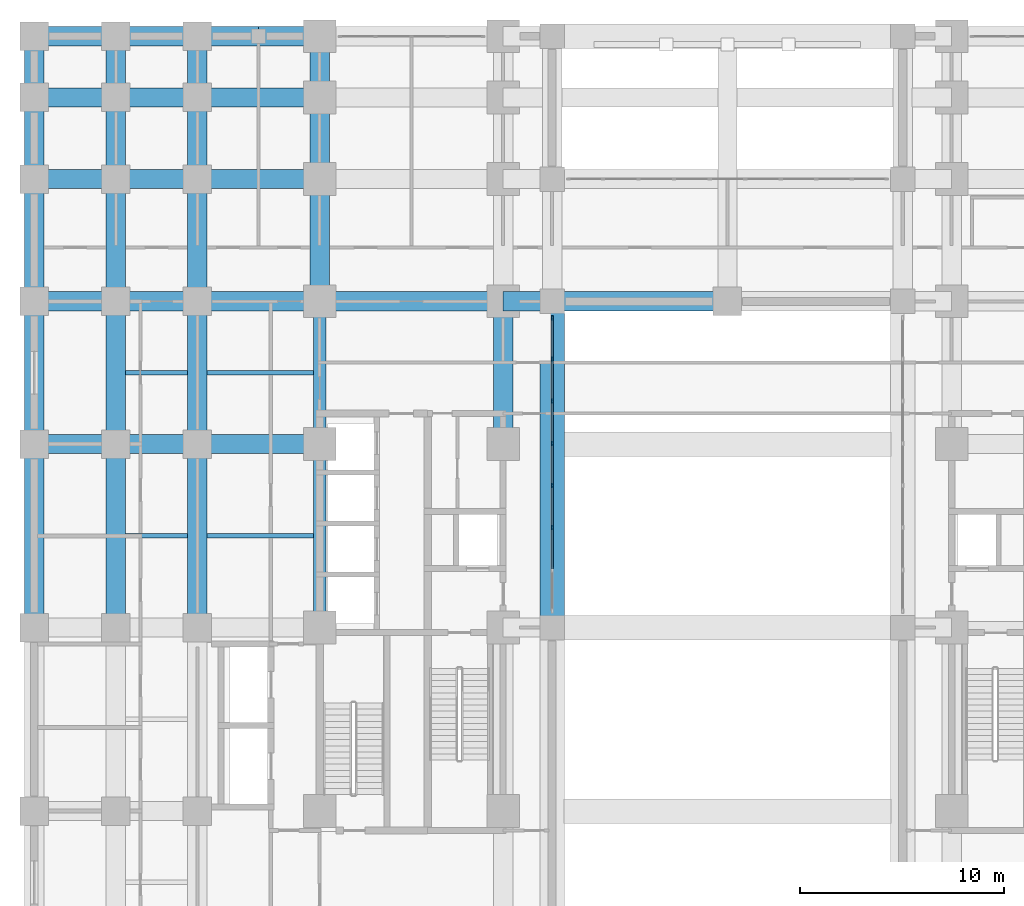
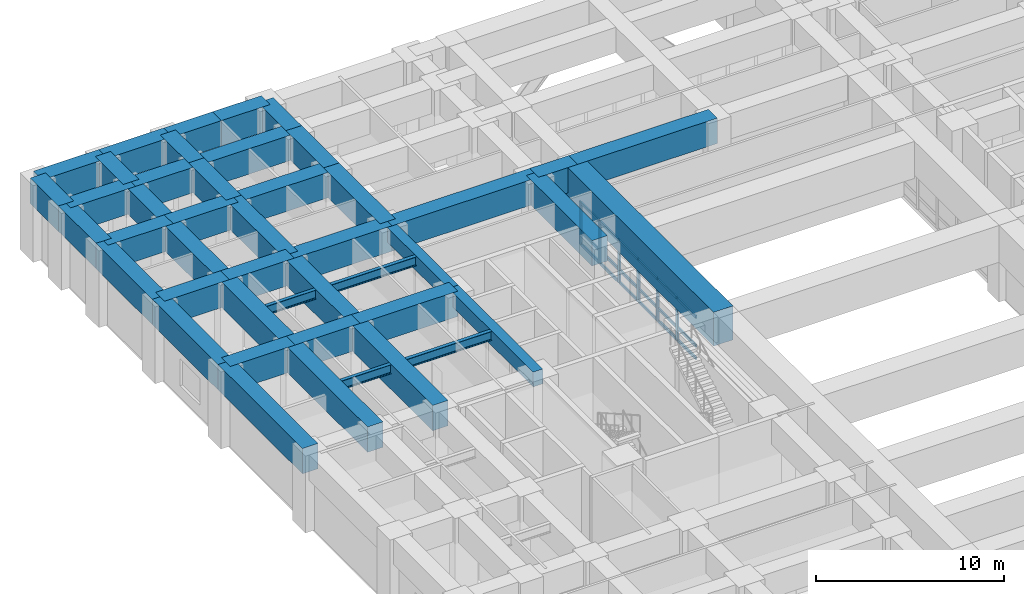
# One storey, part 5 of 24: 45 beams, 24 members, 1 element without a shape of its own.
"""IFC4 building model written with IfcOpenShell, lengths in metres."""

from ifc_helpers import new_model, si_unit, direction, frame, origin, origin_2d, place, context, subcontext, project, spatial, rectangle, i_section, extrude, material, material_profile, profile_set, type_object, element, aggregate, save


model = new_model("IFC4")

# Units and contexts
model_context = context("Model", 3, precision=1e-05, world=origin(), true_north=direction((0.0, 1.0)))
body_context = subcontext(model_context, "Body", "Model", "MODEL_VIEW")
ifc_project = project(units=[si_unit("LENGTHUNIT", "METRE"), si_unit("AREAUNIT", "SQUARE_METRE"), si_unit("VOLUMEUNIT", "CUBIC_METRE"), si_unit("PLANEANGLEUNIT", "RADIAN"), si_unit("MASSUNIT", "GRAM", prefix="KILO")], contexts=[model_context])

# Site, building, storey
site_placement = place(None, origin())
site = spatial("IfcSite", under=ifc_project, at=site_placement, CompositionType="ELEMENT")
building_placement = place(site_placement, origin())
building = spatial("IfcBuilding", under=site, at=building_placement, Name="Zulmaris Gate Convention Tower", CompositionType="ELEMENT")
storey_placement = place(building_placement, frame((0.0, 0.0, 16.320068359375)))
storey = spatial("IfcBuildingStorey", under=building, at=storey_placement, Name="L03", CompositionType="ELEMENT", Elevation=16.320068359375)

# Beams
ifc_material_1 = material(Name="Concrete C60/75", Category="concrete")
ifc_material_profile_1 = material_profile(ifc_material_1, rectangle(XDim=0.60009765625, YDim=0.949951171875, at=origin_2d()), Name="RC BEAM 600x950")
ifc_profile_set_1 = profile_set([ifc_material_profile_1], Name="Concrete C60/75")
beam_type_1 = type_object("IfcBeamType", Name="BM-RC600x950", PredefinedType="BEAM", material=ifc_profile_set_1)
beam_1_placement = place(storey_placement, frame((-20.0, 0.0, 4.514892578125), z_axis=(0.0, 1.0, 0.0), x_axis=(-1.0, 0.0, 0.0)))
element("IfcBeam", 1, at=beam_1_placement, inside=storey, type_object=beam_type_1, Name="L03 Beam BM-L03-Y--20.0-+0.0", PredefinedType="BEAM", context=body_context, shape_type="SweptSolid", body=[
    extrude(rectangle(XDim=0.60009765625, YDim=0.949951171875, at=origin_2d()), origin(), (0.0, 0.0, 1.0), 9.0),
])
beam_2_placement = place(storey_placement, frame((-20.0, 9.0, 4.514892578125), z_axis=(0.0, 1.0, 0.0), x_axis=(-1.0, 0.0, 0.0)))
element("IfcBeam", 2, at=beam_2_placement, inside=storey, type_object=beam_type_1, Name="L03 Beam BM-L03-Y--20.0-+9.0", PredefinedType="BEAM", context=body_context, shape_type="SweptSolid", body=[
    extrude(rectangle(XDim=0.60009765625, YDim=0.949951171875, at=origin_2d()), origin(), (0.0, 0.0, 1.0), 7.0),
])
ifc_material_2 = material(Name="Concrete C80/95", Category="concrete")
ifc_material_profile_2 = material_profile(ifc_material_2, rectangle(XDim=0.949951171875, YDim=1.64990234375, at=origin_2d()), Name="RC TRANSFER 950x1650")
ifc_profile_set_2 = profile_set([ifc_material_profile_2], Name="Concrete C80/95")
beam_type_2 = type_object("IfcBeamType", Name="BM-XFER1650", PredefinedType="BEAM", material=ifc_profile_set_2)
for number, where, z_axis, x_axis, name in (
    (3, (-34.0, 29.0, 4.1650390625), (1.0, 0.0, 0.0), (0.0, 1.0, 0.0), "L03 Beam XFRNGX-L03-+29.0-1"),
    (4, (-30.0, 29.0, 4.1650390625), (1.0, 0.0, 0.0), (0.0, 1.0, 0.0), "L03 Beam XFRNGX-L03-+29.0-2"),
):
    element("IfcBeam", number, at=place(storey_placement, frame(where, z_axis=z_axis, x_axis=x_axis)), inside=storey, type_object=beam_type_2, Name=name, PredefinedType="BEAM", context=body_context, shape_type="SweptSolid", body=[
        extrude(rectangle(XDim=0.949951171875, YDim=1.64990234375, at=origin_2d()), origin(), (0.0, 0.0, 1.0), 4.0),
    ])
for number, where, z_axis, x_axis, name in (
    (5, (-26.0, 29.0, 4.1650390625), (1.0, 0.0, 0.0), (0.0, 1.0, 0.0), "L03 Beam XFRNGX-L03-+29.0-3"),
    (6, (-23.0, 29.0, 4.1650390625), (1.0, 0.0, 0.0), (0.0, 1.0, 0.0), "L03 Beam XFRNGX-L03-+29.0-4"),
):
    element("IfcBeam", number, at=place(storey_placement, frame(where, z_axis=z_axis, x_axis=x_axis)), inside=storey, type_object=beam_type_2, Name=name, PredefinedType="BEAM", context=body_context, shape_type="SweptSolid", body=[
        extrude(rectangle(XDim=0.949951171875, YDim=1.64990234375, at=origin_2d()), origin(), (0.0, 0.0, 1.0), 3.0),
    ])
beam_3_placement = place(storey_placement, frame((-34.0, 0.0, 4.1650390625), z_axis=(0.0, 1.0, 0.0), x_axis=(-1.0, 0.0, 0.0)))
element("IfcBeam", 7, at=beam_3_placement, inside=storey, type_object=beam_type_2, Name="L03 Beam XFRNGY-L03--34.0-6", PredefinedType="BEAM", context=body_context, shape_type="SweptSolid", body=[
    extrude(rectangle(XDim=0.949951171875, YDim=1.64990234375, at=origin_2d()), origin(), (0.0, 0.0, 1.0), 9.0),
])
beam_4_placement = place(storey_placement, frame((-34.0, 9.0, 4.1650390625), z_axis=(0.0, 1.0, 0.0), x_axis=(-1.0, 0.0, 0.0)))
element("IfcBeam", 8, at=beam_4_placement, inside=storey, type_object=beam_type_2, Name="L03 Beam XFRNGY-L03--34.0-7", PredefinedType="BEAM", context=body_context, shape_type="SweptSolid", body=[
    extrude(rectangle(XDim=0.949951171875, YDim=1.64990234375, at=origin_2d()), origin(), (0.0, 0.0, 1.0), 7.0),
])
beam_5_placement = place(storey_placement, frame((-34.0, 16.0, 4.1650390625), z_axis=(0.0, 1.0, 0.0), x_axis=(-1.0, 0.0, 0.0)))
element("IfcBeam", 9, at=beam_5_placement, inside=storey, type_object=beam_type_2, Name="L03 Beam XFRNGY-L03--34.0-8", PredefinedType="BEAM", context=body_context, shape_type="SweptSolid", body=[
    extrude(rectangle(XDim=0.949951171875, YDim=1.64990234375, at=origin_2d()), origin(), (0.0, 0.0, 1.0), 6.0),
])
beam_6_placement = place(storey_placement, frame((-34.0, 22.0, 4.1650390625), z_axis=(0.0, 1.0, 0.0), x_axis=(-1.0, 0.0, 0.0)))
element("IfcBeam", 10, at=beam_6_placement, inside=storey, type_object=beam_type_2, Name="L03 Beam XFRNGY-L03--34.0-9", PredefinedType="BEAM", context=body_context, shape_type="SweptSolid", body=[
    extrude(rectangle(XDim=0.949951171875, YDim=1.64990234375, at=origin_2d()), origin(), (0.0, 0.0, 1.0), 4.0),
])
beam_7_placement = place(storey_placement, frame((-34.0, 26.0, 4.1650390625), z_axis=(0.0, 1.0, 0.0), x_axis=(-1.0, 0.0, 0.0)))
element("IfcBeam", 11, at=beam_7_placement, inside=storey, type_object=beam_type_2, Name="L03 Beam XFRNGY-L03--34.0-10", PredefinedType="BEAM", context=body_context, shape_type="SweptSolid", body=[
    extrude(rectangle(XDim=0.949951171875, YDim=1.64990234375, at=origin_2d()), origin(), (0.0, 0.0, 1.0), 3.0),
])
beam_8_placement = place(storey_placement, frame((-30.0, 0.0, 4.1650390625), z_axis=(0.0, 1.0, 0.0), x_axis=(-1.0, 0.0, 0.0)))
element("IfcBeam", 12, at=beam_8_placement, inside=storey, type_object=beam_type_2, Name="L03 Beam XFSPY-L03--30.0-4", PredefinedType="BEAM", context=body_context, shape_type="SweptSolid", body=[
    extrude(rectangle(XDim=0.949951171875, YDim=1.64990234375, at=origin_2d()), origin(), (0.0, 0.0, 1.0), 9.0),
])
beam_9_placement = place(storey_placement, frame((-30.0, 9.0, 4.1650390625), z_axis=(0.0, 1.0, 0.0), x_axis=(-1.0, 0.0, 0.0)))
element("IfcBeam", 13, at=beam_9_placement, inside=storey, type_object=beam_type_2, Name="L03 Beam XFSPY-L03--30.0-5", PredefinedType="BEAM", context=body_context, shape_type="SweptSolid", body=[
    extrude(rectangle(XDim=0.949951171875, YDim=1.64990234375, at=origin_2d()), origin(), (0.0, 0.0, 1.0), 7.0),
])
beam_10_placement = place(storey_placement, frame((-30.0, 16.0, 4.1650390625), z_axis=(0.0, 1.0, 0.0), x_axis=(-1.0, 0.0, 0.0)))
element("IfcBeam", 14, at=beam_10_placement, inside=storey, type_object=beam_type_2, Name="L03 Beam XFSPY-L03--30.0-6", PredefinedType="BEAM", context=body_context, shape_type="SweptSolid", body=[
    extrude(rectangle(XDim=0.949951171875, YDim=1.64990234375, at=origin_2d()), origin(), (0.0, 0.0, 1.0), 6.0),
])
beam_11_placement = place(storey_placement, frame((-30.0, 22.0, 4.1650390625), z_axis=(0.0, 1.0, 0.0), x_axis=(-1.0, 0.0, 0.0)))
element("IfcBeam", 15, at=beam_11_placement, inside=storey, type_object=beam_type_2, Name="L03 Beam XFSPY-L03--30.0-7", PredefinedType="BEAM", context=body_context, shape_type="SweptSolid", body=[
    extrude(rectangle(XDim=0.949951171875, YDim=1.64990234375, at=origin_2d()), origin(), (0.0, 0.0, 1.0), 4.0),
])
beam_12_placement = place(storey_placement, frame((-30.0, 26.0, 4.1650390625), z_axis=(0.0, 1.0, 0.0), x_axis=(-1.0, 0.0, 0.0)))
element("IfcBeam", 16, at=beam_12_placement, inside=storey, type_object=beam_type_2, Name="L03 Beam XFSPY-L03--30.0-8", PredefinedType="BEAM", context=body_context, shape_type="SweptSolid", body=[
    extrude(rectangle(XDim=0.949951171875, YDim=1.64990234375, at=origin_2d()), origin(), (0.0, 0.0, 1.0), 3.0),
])
beam_13_placement = place(storey_placement, frame((-26.0, 0.0, 4.1650390625), z_axis=(0.0, 1.0, 0.0), x_axis=(-1.0, 0.0, 0.0)))
element("IfcBeam", 17, at=beam_13_placement, inside=storey, type_object=beam_type_2, Name="L03 Beam XFSPY-L03--26.0-6", PredefinedType="BEAM", context=body_context, shape_type="SweptSolid", body=[
    extrude(rectangle(XDim=0.949951171875, YDim=1.64990234375, at=origin_2d()), origin(), (0.0, 0.0, 1.0), 9.0),
])
beam_14_placement = place(storey_placement, frame((-26.0, 9.0, 4.1650390625), z_axis=(0.0, 1.0, 0.0), x_axis=(-1.0, 0.0, 0.0)))
element("IfcBeam", 18, at=beam_14_placement, inside=storey, type_object=beam_type_2, Name="L03 Beam XFSPY-L03--26.0-7", PredefinedType="BEAM", context=body_context, shape_type="SweptSolid", body=[
    extrude(rectangle(XDim=0.949951171875, YDim=1.64990234375, at=origin_2d()), origin(), (0.0, 0.0, 1.0), 7.0),
])
beam_15_placement = place(storey_placement, frame((-26.0, 16.0, 4.1650390625), z_axis=(0.0, 1.0, 0.0), x_axis=(-1.0, 0.0, 0.0)))
element("IfcBeam", 19, at=beam_15_placement, inside=storey, type_object=beam_type_2, Name="L03 Beam XFSPY-L03--26.0-8", PredefinedType="BEAM", context=body_context, shape_type="SweptSolid", body=[
    extrude(rectangle(XDim=0.949951171875, YDim=1.64990234375, at=origin_2d()), origin(), (0.0, 0.0, 1.0), 6.0),
])
beam_16_placement = place(storey_placement, frame((-26.0, 22.0, 4.1650390625), z_axis=(0.0, 1.0, 0.0), x_axis=(-1.0, 0.0, 0.0)))
element("IfcBeam", 20, at=beam_16_placement, inside=storey, type_object=beam_type_2, Name="L03 Beam XFSPY-L03--26.0-9", PredefinedType="BEAM", context=body_context, shape_type="SweptSolid", body=[
    extrude(rectangle(XDim=0.949951171875, YDim=1.64990234375, at=origin_2d()), origin(), (0.0, 0.0, 1.0), 4.0),
])
beam_17_placement = place(storey_placement, frame((-26.0, 26.0, 4.1650390625), z_axis=(0.0, 1.0, 0.0), x_axis=(-1.0, 0.0, 0.0)))
element("IfcBeam", 21, at=beam_17_placement, inside=storey, type_object=beam_type_2, Name="L03 Beam XFSPY-L03--26.0-10", PredefinedType="BEAM", context=body_context, shape_type="SweptSolid", body=[
    extrude(rectangle(XDim=0.949951171875, YDim=1.64990234375, at=origin_2d()), origin(), (0.0, 0.0, 1.0), 3.0),
])
beam_18_placement = place(storey_placement, frame((-20.0, 16.0, 4.1650390625), z_axis=(0.0, 1.0, 0.0), x_axis=(-1.0, 0.0, 0.0)))
element("IfcBeam", 22, at=beam_18_placement, inside=storey, type_object=beam_type_2, Name="L03 Beam XFSPY-L03--20.0-8", PredefinedType="BEAM", context=body_context, shape_type="SweptSolid", body=[
    extrude(rectangle(XDim=0.949951171875, YDim=1.64990234375, at=origin_2d()), origin(), (0.0, 0.0, 1.0), 6.0),
])
beam_19_placement = place(storey_placement, frame((-20.0, 22.0, 4.1650390625), z_axis=(0.0, 1.0, 0.0), x_axis=(-1.0, 0.0, 0.0)))
element("IfcBeam", 23, at=beam_19_placement, inside=storey, type_object=beam_type_2, Name="L03 Beam XFSPY-L03--20.0-9", PredefinedType="BEAM", context=body_context, shape_type="SweptSolid", body=[
    extrude(rectangle(XDim=0.949951171875, YDim=1.64990234375, at=origin_2d()), origin(), (0.0, 0.0, 1.0), 4.0),
])
beam_20_placement = place(storey_placement, frame((-20.0, 26.0, 4.1650390625), z_axis=(0.0, 1.0, 0.0), x_axis=(-1.0, 0.0, 0.0)))
element("IfcBeam", 24, at=beam_20_placement, inside=storey, type_object=beam_type_2, Name="L03 Beam XFSPY-L03--20.0-10", PredefinedType="BEAM", context=body_context, shape_type="SweptSolid", body=[
    extrude(rectangle(XDim=0.949951171875, YDim=1.64990234375, at=origin_2d()), origin(), (0.0, 0.0, 1.0), 3.0),
])
beam_21_placement = place(storey_placement, frame((-11.0, 9.0, 4.1650390625), z_axis=(0.0, 1.0, 0.0), x_axis=(-1.0, 0.0, 0.0)))
element("IfcBeam", 25, at=beam_21_placement, inside=storey, type_object=beam_type_2, Name="L03 Beam XFSPY-L03--11.0-7", PredefinedType="BEAM", context=body_context, shape_type="SweptSolid", body=[
    extrude(rectangle(XDim=0.949951171875, YDim=1.64990234375, at=origin_2d()), origin(), (0.0, 0.0, 1.0), 7.0),
])
for number, where, z_axis, x_axis, name in (
    (26, (-34.0, 9.0, 4.1650390625), (1.0, 0.0, 0.0), (0.0, 1.0, 0.0), "L03 Beam XFSPX-L03-+9.0-1"),
    (27, (-30.0, 9.0, 4.1650390625), (1.0, 0.0, 0.0), (0.0, 1.0, 0.0), "L03 Beam XFSPX-L03-+9.0-2"),
):
    element("IfcBeam", number, at=place(storey_placement, frame(where, z_axis=z_axis, x_axis=x_axis)), inside=storey, type_object=beam_type_2, Name=name, PredefinedType="BEAM", context=body_context, shape_type="SweptSolid", body=[
        extrude(rectangle(XDim=0.949951171875, YDim=1.64990234375, at=origin_2d()), origin(), (0.0, 0.0, 1.0), 4.0),
    ])
beam_22_placement = place(storey_placement, frame((-26.0, 9.0, 4.1650390625), z_axis=(1.0, 0.0, 0.0), x_axis=(0.0, 1.0, 0.0)))
element("IfcBeam", 28, at=beam_22_placement, inside=storey, type_object=beam_type_2, Name="L03 Beam XFSPX-L03-+9.0-3", PredefinedType="BEAM", context=body_context, shape_type="SweptSolid", body=[
    extrude(rectangle(XDim=0.949951171875, YDim=1.64990234375, at=origin_2d()), origin(), (0.0, 0.0, 1.0), 6.0),
])
for number, where, z_axis, x_axis, name in (
    (29, (-34.0, 16.0, 4.1650390625), (1.0, 0.0, 0.0), (0.0, 1.0, 0.0), "L03 Beam XFSPX-L03-+16.0-1"),
    (30, (-30.0, 16.0, 4.1650390625), (1.0, 0.0, 0.0), (0.0, 1.0, 0.0), "L03 Beam XFSPX-L03-+16.0-2"),
):
    element("IfcBeam", number, at=place(storey_placement, frame(where, z_axis=z_axis, x_axis=x_axis)), inside=storey, type_object=beam_type_2, Name=name, PredefinedType="BEAM", context=body_context, shape_type="SweptSolid", body=[
        extrude(rectangle(XDim=0.949951171875, YDim=1.64990234375, at=origin_2d()), origin(), (0.0, 0.0, 1.0), 4.0),
    ])
beam_23_placement = place(storey_placement, frame((-26.0, 16.0, 4.1650390625), z_axis=(1.0, 0.0, 0.0), x_axis=(0.0, 1.0, 0.0)))
element("IfcBeam", 31, at=beam_23_placement, inside=storey, type_object=beam_type_2, Name="L03 Beam XFSPX-L03-+16.0-3", PredefinedType="BEAM", context=body_context, shape_type="SweptSolid", body=[
    extrude(rectangle(XDim=0.949951171875, YDim=1.64990234375, at=origin_2d()), origin(), (0.0, 0.0, 1.0), 6.0),
])
beam_24_placement = place(storey_placement, frame((-20.0, 16.0, 4.1650390625), z_axis=(1.0, 0.0, 0.0), x_axis=(0.0, 1.0, 0.0)))
element("IfcBeam", 32, at=beam_24_placement, inside=storey, type_object=beam_type_2, Name="L03 Beam XFSPX-L03-+16.0-4", PredefinedType="BEAM", context=body_context, shape_type="SweptSolid", body=[
    extrude(rectangle(XDim=0.949951171875, YDim=1.64990234375, at=origin_2d()), origin(), (0.0, 0.0, 1.0), 9.0),
])
beam_25_placement = place(storey_placement, frame((-11.0, 16.0, 4.1650390625), z_axis=(1.0, 0.0, 0.0), x_axis=(0.0, 1.0, 0.0)))
element("IfcBeam", 33, at=beam_25_placement, inside=storey, type_object=beam_type_2, Name="L03 Beam XFSPX-L03-+16.0-5", PredefinedType="BEAM", context=body_context, shape_type="SweptSolid", body=[
    extrude(rectangle(XDim=0.949951171875, YDim=1.64990234375, at=origin_2d()), origin(), (0.0, 0.0, 1.0), 2.39990234375),
])
beam_26_placement = place(storey_placement, frame((-8.60009765625, 16.0, 4.1650390625), z_axis=(1.0, 0.0, 0.0), x_axis=(0.0, 1.0, 0.0)))
element("IfcBeam", 34, at=beam_26_placement, inside=storey, type_object=beam_type_2, Name="L03 Beam XFSPX-L03-+16.0-6", PredefinedType="BEAM", context=body_context, shape_type="SweptSolid", body=[
    extrude(rectangle(XDim=0.949951171875, YDim=1.64990234375, at=origin_2d()), origin(), (0.0, 0.0, 1.0), 8.60009765625),
])
for number, where, z_axis, x_axis, name in (
    (35, (-34.0, 22.0, 4.1650390625), (1.0, 0.0, 0.0), (0.0, 1.0, 0.0), "L03 Beam XFSPX-L03-+22.0-1"),
    (36, (-30.0, 22.0, 4.1650390625), (1.0, 0.0, 0.0), (0.0, 1.0, 0.0), "L03 Beam XFSPX-L03-+22.0-2"),
):
    element("IfcBeam", number, at=place(storey_placement, frame(where, z_axis=z_axis, x_axis=x_axis)), inside=storey, type_object=beam_type_2, Name=name, PredefinedType="BEAM", context=body_context, shape_type="SweptSolid", body=[
        extrude(rectangle(XDim=0.949951171875, YDim=1.64990234375, at=origin_2d()), origin(), (0.0, 0.0, 1.0), 4.0),
    ])
beam_27_placement = place(storey_placement, frame((-26.0, 22.0, 4.1650390625), z_axis=(1.0, 0.0, 0.0), x_axis=(0.0, 1.0, 0.0)))
element("IfcBeam", 37, at=beam_27_placement, inside=storey, type_object=beam_type_2, Name="L03 Beam XFSPX-L03-+22.0-3", PredefinedType="BEAM", context=body_context, shape_type="SweptSolid", body=[
    extrude(rectangle(XDim=0.949951171875, YDim=1.64990234375, at=origin_2d()), origin(), (0.0, 0.0, 1.0), 6.0),
])
for number, where, z_axis, x_axis, name in (
    (38, (-34.0, 26.0, 4.1650390625), (1.0, 0.0, 0.0), (0.0, 1.0, 0.0), "L03 Beam XFSPX-L03-+26.0-1"),
    (39, (-30.0, 26.0, 4.1650390625), (1.0, 0.0, 0.0), (0.0, 1.0, 0.0), "L03 Beam XFSPX-L03-+26.0-2"),
):
    element("IfcBeam", number, at=place(storey_placement, frame(where, z_axis=z_axis, x_axis=x_axis)), inside=storey, type_object=beam_type_2, Name=name, PredefinedType="BEAM", context=body_context, shape_type="SweptSolid", body=[
        extrude(rectangle(XDim=0.949951171875, YDim=1.64990234375, at=origin_2d()), origin(), (0.0, 0.0, 1.0), 4.0),
    ])
beam_28_placement = place(storey_placement, frame((-26.0, 26.0, 4.1650390625), z_axis=(1.0, 0.0, 0.0), x_axis=(0.0, 1.0, 0.0)))
element("IfcBeam", 40, at=beam_28_placement, inside=storey, type_object=beam_type_2, Name="L03 Beam XFSPX-L03-+26.0-3", PredefinedType="BEAM", context=body_context, shape_type="SweptSolid", body=[
    extrude(rectangle(XDim=0.949951171875, YDim=1.64990234375, at=origin_2d()), origin(), (0.0, 0.0, 1.0), 6.0),
])
ifc_material_profile_3 = material_profile(ifc_material_2, rectangle(XDim=1.199951171875, YDim=2.199951171875, at=origin_2d()), Name="RC TRANSFER 1200x2200")
ifc_profile_set_3 = profile_set([ifc_material_profile_3], Name="Concrete C80/95")
beam_type_3 = type_object("IfcBeamType", Name="BM-XFER2200", PredefinedType="BEAM", material=ifc_profile_set_3)
beam_29_placement = place(storey_placement, frame((-8.60009765625, 0.0, 3.889892578125), z_axis=(0.0, 1.0, 0.0), x_axis=(-1.0, 0.0, 0.0)))
element("IfcBeam", 41, at=beam_29_placement, inside=storey, type_object=beam_type_3, Name="L03 Beam XFSPY-L03--8.6-3", PredefinedType="BEAM", context=body_context, shape_type="SweptSolid", body=[
    extrude(rectangle(XDim=1.199951171875, YDim=2.199951171875, at=origin_2d()), origin(), (0.0, 0.0, 1.0), 16.0),
])

# Curtain wall, members
ifc_material_3 = material(Name="Anodised Aluminium", Category="aluminium")
curtain_wall_type = type_object("IfcCurtainWallType", Name="CW-02", PredefinedType="NOTDEFINED", material=ifc_material_3)
curtain_wall_placement = place(storey_placement, origin())
curtain_wall = element("IfcCurtainWall", 42, at=curtain_wall_placement, inside=storey, type_object=curtain_wall_type, Name="CW-02 CW02-L03-WL_0", PredefinedType="NOTDEFINED")
ifc_material_profile_4 = material_profile(ifc_material_3, rectangle(XDim=0.090087890625, YDim=0.219970703125, at=origin_2d()), Name="ALU MULLION 90x220")
ifc_profile_set_4 = profile_set([ifc_material_profile_4], Name="Anodised Aluminium")
member_type_1 = type_object("IfcMemberType", Name="CW-02-MULL", PredefinedType="MULLION", material=ifc_profile_set_4)
member_1_placement = place(storey_placement, frame((-8.60009765625, 4.897216796875, 0.0), z_axis=(0.0, 0.0, 1.0), x_axis=(-1.0, 0.0, 0.0)))
member_1 = element("IfcMember", 43, at=member_1_placement, type_object=member_type_1, Name="CW-02 mullion 3", PredefinedType="MULLION", context=body_context, shape_type="SweptSolid", body=[
    extrude(rectangle(XDim=0.090087890625, YDim=0.219970703125, at=origin_2d()), origin(), (0.0, 0.0, 1.0), 2.781982421875),
])
member_2_placement = place(storey_placement, frame((-8.60009765625, 6.9658203125, 0.0), z_axis=(0.0, 0.0, 1.0), x_axis=(-1.0, 0.0, 0.0)))
member_2 = element("IfcMember", 44, at=member_2_placement, type_object=member_type_1, Name="CW-02 mullion 4", PredefinedType="MULLION", context=body_context, shape_type="SweptSolid", body=[
    extrude(rectangle(XDim=0.090087890625, YDim=0.219970703125, at=origin_2d()), origin(), (0.0, 0.0, 1.0), 2.781982421875),
])
member_3_placement = place(storey_placement, frame((-8.60009765625, 9.0341796875, 0.0), z_axis=(0.0, 0.0, 1.0), x_axis=(-1.0, 0.0, 0.0)))
member_3 = element("IfcMember", 45, at=member_3_placement, type_object=member_type_1, Name="CW-02 mullion 5", PredefinedType="MULLION", context=body_context, shape_type="SweptSolid", body=[
    extrude(rectangle(XDim=0.090087890625, YDim=0.219970703125, at=origin_2d()), origin(), (0.0, 0.0, 1.0), 2.781982421875),
])
member_4_placement = place(storey_placement, frame((-8.60009765625, 11.102783203125, 0.0), z_axis=(0.0, 0.0, 1.0), x_axis=(-1.0, 0.0, 0.0)))
member_4 = element("IfcMember", 46, at=member_4_placement, type_object=member_type_1, Name="CW-02 mullion 6", PredefinedType="MULLION", context=body_context, shape_type="SweptSolid", body=[
    extrude(rectangle(XDim=0.090087890625, YDim=0.219970703125, at=origin_2d()), origin(), (0.0, 0.0, 1.0), 2.781982421875),
])
member_5_placement = place(storey_placement, frame((-8.60009765625, 13.17138671875, 0.0), z_axis=(0.0, 0.0, 1.0), x_axis=(-1.0, 0.0, 0.0)))
member_5 = element("IfcMember", 47, at=member_5_placement, type_object=member_type_1, Name="CW-02 mullion 7", PredefinedType="MULLION", context=body_context, shape_type="SweptSolid", body=[
    extrude(rectangle(XDim=0.090087890625, YDim=0.219970703125, at=origin_2d()), origin(), (0.0, 0.0, 1.0), 2.781982421875),
])
member_6_placement = place(storey_placement, frame((-8.60009765625, 15.195068359375, 0.0), z_axis=(0.0, 0.0, 1.0), x_axis=(-1.0, 0.0, 0.0)))
member_6 = element("IfcMember", 48, at=member_6_placement, type_object=member_type_1, Name="CW-02 mullion 8", PredefinedType="MULLION", context=body_context, shape_type="SweptSolid", body=[
    extrude(rectangle(XDim=0.090087890625, YDim=0.219970703125, at=origin_2d()), origin(), (0.0, 0.0, 1.0), 2.781982421875),
])
ifc_material_profile_5 = material_profile(ifc_material_3, rectangle(XDim=0.090087890625, YDim=0.179931640625, at=origin_2d()), Name="ALU TRANSOM 90x180")
ifc_profile_set_5 = profile_set([ifc_material_profile_5], Name="Anodised Aluminium")
member_type_2 = type_object("IfcMemberType", Name="CW-02-TRAN", PredefinedType="USERDEFINED", material=ifc_profile_set_5)
member_7_placement = place(storey_placement, frame((-8.60009765625, 2.87353515625, 0.044921875), z_axis=(0.0, 1.0, 0.0), x_axis=(-1.0, 0.0, 0.0)))
member_7 = element("IfcMember", 49, at=member_7_placement, type_object=member_type_2, Name="CW-02 transom 2.1", ObjectType="TRANSOM", PredefinedType="USERDEFINED", context=body_context, shape_type="SweptSolid", body=[
    extrude(rectangle(XDim=0.090087890625, YDim=0.179931640625, at=origin_2d()), origin(), (0.0, 0.0, 1.0), 1.978515625),
])
member_8_placement = place(storey_placement, frame((-8.60009765625, 2.87353515625, 0.85009765625), z_axis=(0.0, 1.0, 0.0), x_axis=(-1.0, 0.0, 0.0)))
member_8 = element("IfcMember", 50, at=member_8_placement, type_object=member_type_2, Name="CW-02 transom 2.2", ObjectType="TRANSOM", PredefinedType="USERDEFINED", context=body_context, shape_type="SweptSolid", body=[
    extrude(rectangle(XDim=0.090087890625, YDim=0.179931640625, at=origin_2d()), origin(), (0.0, 0.0, 1.0), 1.978515625),
])
member_9_placement = place(storey_placement, frame((-8.60009765625, 2.87353515625, 2.73681640625), z_axis=(0.0, 1.0, 0.0), x_axis=(-1.0, 0.0, 0.0)))
member_9 = element("IfcMember", 51, at=member_9_placement, type_object=member_type_2, Name="CW-02 transom 2.3", ObjectType="TRANSOM", PredefinedType="USERDEFINED", context=body_context, shape_type="SweptSolid", body=[
    extrude(rectangle(XDim=0.090087890625, YDim=0.179931640625, at=origin_2d()), origin(), (0.0, 0.0, 1.0), 1.978515625),
])
member_10_placement = place(storey_placement, frame((-8.60009765625, 4.942138671875, 0.044921875), z_axis=(0.0, 1.0, 0.0), x_axis=(-1.0, 0.0, 0.0)))
member_10 = element("IfcMember", 52, at=member_10_placement, type_object=member_type_2, Name="CW-02 transom 3.1", ObjectType="TRANSOM", PredefinedType="USERDEFINED", context=body_context, shape_type="SweptSolid", body=[
    extrude(rectangle(XDim=0.090087890625, YDim=0.179931640625, at=origin_2d()), origin(), (0.0, 0.0, 1.0), 1.978515625),
])
member_11_placement = place(storey_placement, frame((-8.60009765625, 4.942138671875, 0.85009765625), z_axis=(0.0, 1.0, 0.0), x_axis=(-1.0, 0.0, 0.0)))
member_11 = element("IfcMember", 53, at=member_11_placement, type_object=member_type_2, Name="CW-02 transom 3.2", ObjectType="TRANSOM", PredefinedType="USERDEFINED", context=body_context, shape_type="SweptSolid", body=[
    extrude(rectangle(XDim=0.090087890625, YDim=0.179931640625, at=origin_2d()), origin(), (0.0, 0.0, 1.0), 1.978515625),
])
member_12_placement = place(storey_placement, frame((-8.60009765625, 4.942138671875, 2.73681640625), z_axis=(0.0, 1.0, 0.0), x_axis=(-1.0, 0.0, 0.0)))
member_12 = element("IfcMember", 54, at=member_12_placement, type_object=member_type_2, Name="CW-02 transom 3.3", ObjectType="TRANSOM", PredefinedType="USERDEFINED", context=body_context, shape_type="SweptSolid", body=[
    extrude(rectangle(XDim=0.090087890625, YDim=0.179931640625, at=origin_2d()), origin(), (0.0, 0.0, 1.0), 1.978515625),
])
member_13_placement = place(storey_placement, frame((-8.60009765625, 7.0107421875, 0.044921875), z_axis=(0.0, 1.0, 0.0), x_axis=(-1.0, 0.0, 0.0)))
member_13 = element("IfcMember", 55, at=member_13_placement, type_object=member_type_2, Name="CW-02 transom 4.1", ObjectType="TRANSOM", PredefinedType="USERDEFINED", context=body_context, shape_type="SweptSolid", body=[
    extrude(rectangle(XDim=0.090087890625, YDim=0.179931640625, at=origin_2d()), origin(), (0.0, 0.0, 1.0), 1.978515625),
])
member_14_placement = place(storey_placement, frame((-8.60009765625, 7.0107421875, 0.85009765625), z_axis=(0.0, 1.0, 0.0), x_axis=(-1.0, 0.0, 0.0)))
member_14 = element("IfcMember", 56, at=member_14_placement, type_object=member_type_2, Name="CW-02 transom 4.2", ObjectType="TRANSOM", PredefinedType="USERDEFINED", context=body_context, shape_type="SweptSolid", body=[
    extrude(rectangle(XDim=0.090087890625, YDim=0.179931640625, at=origin_2d()), origin(), (0.0, 0.0, 1.0), 1.978515625),
])
member_15_placement = place(storey_placement, frame((-8.60009765625, 7.0107421875, 2.73681640625), z_axis=(0.0, 1.0, 0.0), x_axis=(-1.0, 0.0, 0.0)))
member_15 = element("IfcMember", 57, at=member_15_placement, type_object=member_type_2, Name="CW-02 transom 4.3", ObjectType="TRANSOM", PredefinedType="USERDEFINED", context=body_context, shape_type="SweptSolid", body=[
    extrude(rectangle(XDim=0.090087890625, YDim=0.179931640625, at=origin_2d()), origin(), (0.0, 0.0, 1.0), 1.978515625),
])
member_16_placement = place(storey_placement, frame((-8.60009765625, 9.079345703125, 0.044921875), z_axis=(0.0, 1.0, 0.0), x_axis=(-1.0, 0.0, 0.0)))
member_16 = element("IfcMember", 58, at=member_16_placement, type_object=member_type_2, Name="CW-02 transom 5.1", ObjectType="TRANSOM", PredefinedType="USERDEFINED", context=body_context, shape_type="SweptSolid", body=[
    extrude(rectangle(XDim=0.090087890625, YDim=0.179931640625, at=origin_2d()), origin(), (0.0, 0.0, 1.0), 1.978515625),
])
member_17_placement = place(storey_placement, frame((-8.60009765625, 9.079345703125, 0.85009765625), z_axis=(0.0, 1.0, 0.0), x_axis=(-1.0, 0.0, 0.0)))
member_17 = element("IfcMember", 59, at=member_17_placement, type_object=member_type_2, Name="CW-02 transom 5.2", ObjectType="TRANSOM", PredefinedType="USERDEFINED", context=body_context, shape_type="SweptSolid", body=[
    extrude(rectangle(XDim=0.090087890625, YDim=0.179931640625, at=origin_2d()), origin(), (0.0, 0.0, 1.0), 1.978515625),
])
member_18_placement = place(storey_placement, frame((-8.60009765625, 9.079345703125, 2.73681640625), z_axis=(0.0, 1.0, 0.0), x_axis=(-1.0, 0.0, 0.0)))
member_18 = element("IfcMember", 60, at=member_18_placement, type_object=member_type_2, Name="CW-02 transom 5.3", ObjectType="TRANSOM", PredefinedType="USERDEFINED", context=body_context, shape_type="SweptSolid", body=[
    extrude(rectangle(XDim=0.090087890625, YDim=0.179931640625, at=origin_2d()), origin(), (0.0, 0.0, 1.0), 1.978515625),
])
member_19_placement = place(storey_placement, frame((-8.60009765625, 11.14794921875, 0.044921875), z_axis=(0.0, 1.0, 0.0), x_axis=(-1.0, 0.0, 0.0)))
member_19 = element("IfcMember", 61, at=member_19_placement, type_object=member_type_2, Name="CW-02 transom 6.1", ObjectType="TRANSOM", PredefinedType="USERDEFINED", context=body_context, shape_type="SweptSolid", body=[
    extrude(rectangle(XDim=0.090087890625, YDim=0.179931640625, at=origin_2d()), origin(), (0.0, 0.0, 1.0), 1.978515625),
])
member_20_placement = place(storey_placement, frame((-8.60009765625, 11.14794921875, 0.85009765625), z_axis=(0.0, 1.0, 0.0), x_axis=(-1.0, 0.0, 0.0)))
member_20 = element("IfcMember", 62, at=member_20_placement, type_object=member_type_2, Name="CW-02 transom 6.2", ObjectType="TRANSOM", PredefinedType="USERDEFINED", context=body_context, shape_type="SweptSolid", body=[
    extrude(rectangle(XDim=0.090087890625, YDim=0.179931640625, at=origin_2d()), origin(), (0.0, 0.0, 1.0), 1.978515625),
])
member_21_placement = place(storey_placement, frame((-8.60009765625, 11.14794921875, 2.73681640625), z_axis=(0.0, 1.0, 0.0), x_axis=(-1.0, 0.0, 0.0)))
member_21 = element("IfcMember", 63, at=member_21_placement, type_object=member_type_2, Name="CW-02 transom 6.3", ObjectType="TRANSOM", PredefinedType="USERDEFINED", context=body_context, shape_type="SweptSolid", body=[
    extrude(rectangle(XDim=0.090087890625, YDim=0.179931640625, at=origin_2d()), origin(), (0.0, 0.0, 1.0), 1.978515625),
])
member_22_placement = place(storey_placement, frame((-8.60009765625, 13.21630859375, 0.044921875), z_axis=(0.0, 1.0, 0.0), x_axis=(-1.0, 0.0, 0.0)))
member_22 = element("IfcMember", 64, at=member_22_placement, type_object=member_type_2, Name="CW-02 transom 7.1", ObjectType="TRANSOM", PredefinedType="USERDEFINED", context=body_context, shape_type="SweptSolid", body=[
    extrude(rectangle(XDim=0.090087890625, YDim=0.179931640625, at=origin_2d()), origin(), (0.0, 0.0, 1.0), 1.93359375),
])
member_23_placement = place(storey_placement, frame((-8.60009765625, 13.21630859375, 0.85009765625), z_axis=(0.0, 1.0, 0.0), x_axis=(-1.0, 0.0, 0.0)))
member_23 = element("IfcMember", 65, at=member_23_placement, type_object=member_type_2, Name="CW-02 transom 7.2", ObjectType="TRANSOM", PredefinedType="USERDEFINED", context=body_context, shape_type="SweptSolid", body=[
    extrude(rectangle(XDim=0.090087890625, YDim=0.179931640625, at=origin_2d()), origin(), (0.0, 0.0, 1.0), 1.93359375),
])
member_24_placement = place(storey_placement, frame((-8.60009765625, 13.21630859375, 2.73681640625), z_axis=(0.0, 1.0, 0.0), x_axis=(-1.0, 0.0, 0.0)))
member_24 = element("IfcMember", 66, at=member_24_placement, type_object=member_type_2, Name="CW-02 transom 7.3", ObjectType="TRANSOM", PredefinedType="USERDEFINED", context=body_context, shape_type="SweptSolid", body=[
    extrude(rectangle(XDim=0.090087890625, YDim=0.179931640625, at=origin_2d()), origin(), (0.0, 0.0, 1.0), 1.93359375),
])
aggregate(curtain_wall, [member_1, member_2, member_3, member_4, member_5, member_6, member_7, member_8, member_9, member_10, member_11, member_12, member_13, member_14, member_15, member_16, member_17, member_18, member_19, member_20, member_21, member_22, member_23, member_24])

# Beams
ifc_material_4 = material(Name="Steel S355", Category="steel")
ifc_material_profile_6 = material_profile(ifc_material_4, i_section(OverallWidth=0.219970703125, OverallDepth=0.60009765625, WebThickness=0.011962890625, FlangeThickness=0.01904296875, FilletRadius=0.02392578125, at=origin_2d()), Name="IPE 600")
ifc_profile_set_6 = profile_set([ifc_material_profile_6], Name="Steel S355")
beam_type_4 = type_object("IfcBeamType", Name="JT-IPE600", PredefinedType="JOIST", material=ifc_profile_set_6)
for number, where, z_axis, x_axis, name in (
    (67, (-29.52490234375, 4.5, 4.68798828125), (1.0, 0.0, 0.0), (0.0, 1.0, 0.0), "L03 Joist JT-L03--30_-26-+4.5"),
    (68, (-29.52490234375, 12.5, 4.68798828125), (1.0, 0.0, 0.0), (0.0, 1.0, 0.0), "L03 Joist JT-L03--30_-26-+12.5"),
):
    element("IfcBeam", number, at=place(storey_placement, frame(where, z_axis=z_axis, x_axis=x_axis)), inside=storey, type_object=beam_type_4, Name=name, PredefinedType="JOIST", context=body_context, shape_type="SweptSolid", body=[
        extrude(i_section(OverallWidth=0.219970703125, OverallDepth=0.60009765625, WebThickness=0.011962890625, FlangeThickness=0.01904296875, FilletRadius=0.02392578125, at=origin_2d()), origin(), (0.0, 0.0, 1.0), 3.0498046875),
    ])
for number, where, z_axis, x_axis, name in (
    (69, (-25.52490234375, 4.5, 4.68798828125), (1.0, 0.0, 0.0), (0.0, 1.0, 0.0), "L03 Joist JT-L03--26_-20-+4.5"),
    (70, (-25.52490234375, 12.5, 4.68798828125), (1.0, 0.0, 0.0), (0.0, 1.0, 0.0), "L03 Joist JT-L03--26_-20-+12.5"),
):
    element("IfcBeam", number, at=place(storey_placement, frame(where, z_axis=z_axis, x_axis=x_axis)), inside=storey, type_object=beam_type_4, Name=name, PredefinedType="JOIST", context=body_context, shape_type="SweptSolid", body=[
        extrude(i_section(OverallWidth=0.219970703125, OverallDepth=0.60009765625, WebThickness=0.011962890625, FlangeThickness=0.01904296875, FilletRadius=0.02392578125, at=origin_2d()), origin(), (0.0, 0.0, 1.0), 5.224853515625),
    ])

save(model, "model.ifc")
